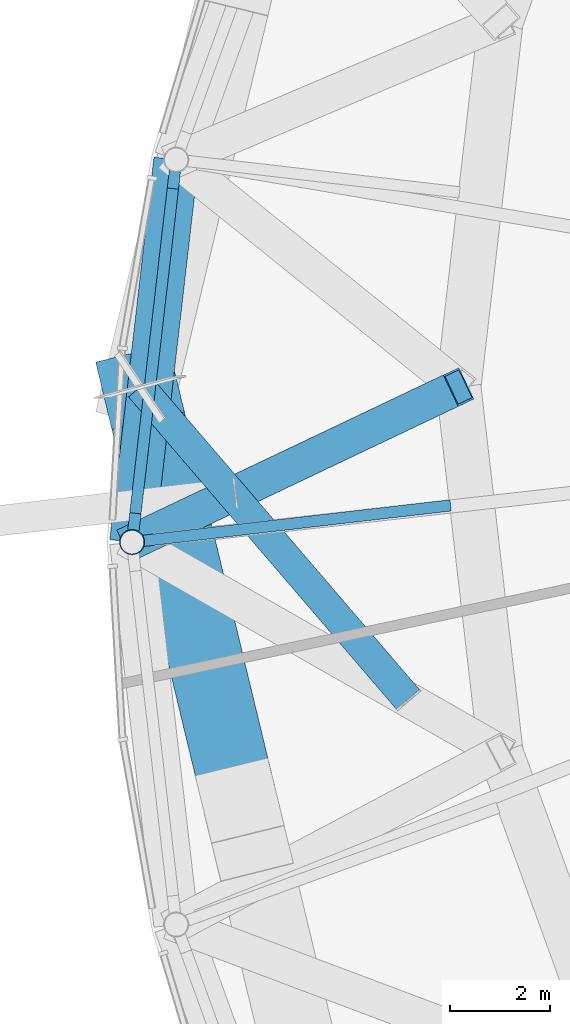
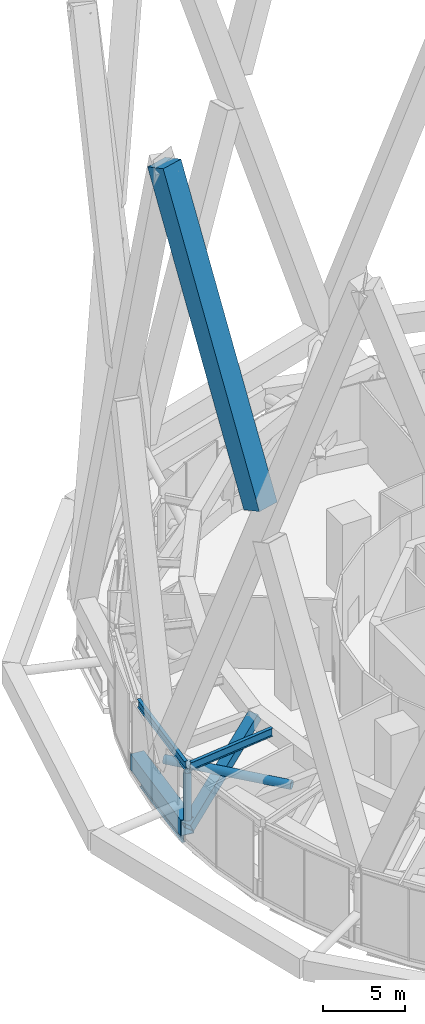
# One storey, part 24 of 49: 5 beams, 3 members.
"""IFC4 building model written with IfcOpenShell, lengths in metres."""

from ifc_helpers import new_model, si_unit, direction, frame, origin, origin_2d, place, context, subcontext, project, spatial, rectangle, hollow_rectangle, hollow_circle, i_section, extrude, material, material_profile, profile_set, type_object, element, save


model = new_model("IFC4")

# Units and contexts
model_context = context("Model", 3, precision=1e-05, world=origin(), true_north=direction((0.0, 1.0)))
body_context = subcontext(model_context, "Body", "Model", "MODEL_VIEW")
ifc_project = project(units=[si_unit("LENGTHUNIT", "METRE"), si_unit("AREAUNIT", "SQUARE_METRE"), si_unit("VOLUMEUNIT", "CUBIC_METRE"), si_unit("PLANEANGLEUNIT", "RADIAN"), si_unit("MASSUNIT", "GRAM", prefix="KILO")], contexts=[model_context])

# Site, building, storey
site_placement = place(None, origin())
site = spatial("IfcSite", under=ifc_project, at=site_placement, CompositionType="ELEMENT")
building_placement = place(site_placement, origin())
building = spatial("IfcBuilding", under=site, at=building_placement, Name="Nagisa Residences", CompositionType="ELEMENT")
storey_placement = place(building_placement, frame((0.0, 0.0, 160.300048828125)))
storey = spatial("IfcBuildingStorey", under=building, at=storey_placement, Name="L40", CompositionType="ELEMENT", Elevation=160.300048828125)

# Beams
ifc_material_1 = material(Name="Steel ASTM A572 Gr 50", Category="steel")
ifc_material_profile_1 = material_profile(ifc_material_1, hollow_rectangle(XDim=0.89990234375, YDim=1.199951171875, WallThickness=0.044921875, at=origin_2d()), Name="BX 900x1200x45")
ifc_profile_set_1 = profile_set([ifc_material_profile_1], Name="Steel ASTM A572 Gr 50")
beam_type_1 = type_object("IfcBeamType", Name="Belt chord 3 BX 900x1200x45", PredefinedType="BEAM", material=ifc_profile_set_1)
beam_1_placement = place(storey_placement, frame((-26.947998046875, 4.56787109375, 0.599853515625), z_axis=(-0.114645667897, -0.993406447952, 0.0), x_axis=(0.993406447952, -0.114645667897, 0.0)))
element("IfcBeam", 1, at=beam_1_placement, inside=storey, type_object=beam_type_1, Name="beam:L40:bt3b12", PredefinedType="BEAM", context=body_context, shape_type="SweptSolid", body=[
    extrude(hollow_rectangle(XDim=0.89990234375, YDim=1.199951171875, WallThickness=0.044921875, at=origin_2d()), origin(), (0.0, 0.0, 1.0), 7.736572265625),
])
ifc_material_2 = material(Name="Steel ASTM A572 Gr 50", Category="steel")
ifc_material_profile_2 = material_profile(ifc_material_2, hollow_rectangle(XDim=0.699951171875, YDim=0.699951171875, WallThickness=0.0400390625, at=origin_2d()), Name="BX 700x700x40")
ifc_profile_set_2 = profile_set([ifc_material_profile_2], Name="Steel ASTM A572 Gr 50")
beam_type_2 = type_object("IfcBeamType", Name="Belt diagonal 3 BX 700x700x40", PredefinedType="BEAM", material=ifc_profile_set_2)
beam_2_placement = place(storey_placement, frame((-27.8349609375, -3.11767578125, 0.599853515625), z_axis=(0.784665673847, 0.37291331057, 0.495212523152), x_axis=(-0.429241927288, 0.903189552563, 0.0)))
element("IfcBeam", 2, at=beam_2_placement, inside=storey, type_object=beam_type_2, Name="beam:L40:bt3da13", PredefinedType="BEAM", context=body_context, shape_type="SweptSolid", body=[
    extrude(hollow_rectangle(XDim=0.699951171875, YDim=0.699951171875, WallThickness=0.0400390625, at=origin_2d()), origin(), (0.0, 0.0, 1.0), 8.3603515625),
])

# Members
ifc_material_3 = material(Name="Concrete C80", Category="concrete")
ifc_material_profile_3 = material_profile(ifc_material_3, rectangle(XDim=1.5, YDim=1.5, at=origin_2d()), Name="C80 1500x1500")
ifc_profile_set_3 = profile_set([ifc_material_profile_3], Name="Concrete C80")
member_type_1 = type_object("IfcMemberType", Name="Cage diagonal 4 C80 1500x1500", PredefinedType="BRACE", material=ifc_profile_set_3)
member_1_placement = place(storey_placement, frame((-25.6728515625, -8.30810546875, 26.93701171875), z_axis=(-0.087370904377, 0.362545040356, 0.92786174551), x_axis=(-0.972167751465, -0.234285857472, 0.0)))
element("IfcMember", 3, at=member_1_placement, inside=storey, type_object=member_type_1, Name="mem:L40:cg4d014b", PredefinedType="BRACE", context=body_context, shape_type="SweptSolid", body=[
    extrude(rectangle(XDim=1.5, YDim=1.5, at=origin_2d()), origin(), (0.0, 0.0, 1.0), 22.916015625),
])
ifc_material_4 = material(Name="Steel ASTM A572 Gr 65", Category="steel")
ifc_material_profile_4 = material_profile(ifc_material_4, hollow_circle(Radius=0.304931640625, WallThickness=0.02490234375, at=origin_2d()), Name="CHS 610x25")
ifc_profile_set_4 = profile_set([ifc_material_profile_4], Name="Steel ASTM A572 Gr 65")
member_type_2 = type_object("IfcMemberType", Name="Cage strut CHS 610x25", PredefinedType="STRUT", material=ifc_profile_set_4)
member_2_placement = place(storey_placement, frame((-27.675048828125, 0.0, 3.699951171875), z_axis=(0.650927418305, -0.759139971348, 0.0), x_axis=(0.759139971348, 0.650927418305, 0.0)))
element("IfcMember", 4, at=member_2_placement, inside=storey, type_object=member_type_2, Name="mem:L40:bt3st4b07", PredefinedType="STRUT", context=body_context, shape_type="SweptSolid", body=[
    extrude(hollow_circle(Radius=0.304931640625, WallThickness=0.02490234375, at=origin_2d()), origin(), (0.0, 0.0, 1.0), 8.275390625),
])

# Beam
ifc_material_5 = material(Name="Steel ASTM A572 Gr 50", Category="steel")
ifc_material_profile_5 = material_profile(ifc_material_5, i_section(OverallWidth=0.22802734375, OverallDepth=0.60302734375, WebThickness=0.010498046875, FlangeThickness=0.014892578125, at=origin_2d()), Name="W610x101")
ifc_profile_set_5 = profile_set([ifc_material_profile_5], Name="Steel ASTM A572 Gr 50")
beam_type_3 = type_object("IfcBeamType", Name="Garden edge beam W610x101", PredefinedType="BEAM", material=ifc_profile_set_5)
beam_3_placement = place(storey_placement, frame((-26.974609375, 4.33544921875, 5.038330078125), z_axis=(-0.114670003519, -0.993403639158, 0.0), x_axis=(0.993403639158, -0.114670003519, 0.0)))
element("IfcBeam", 5, at=beam_3_placement, inside=storey, type_object=beam_type_3, Name="beam:L40:bt3ge12", PredefinedType="BEAM", context=body_context, shape_type="SweptSolid", body=[
    extrude(i_section(OverallWidth=0.22802734375, OverallDepth=0.60302734375, WebThickness=0.010498046875, FlangeThickness=0.014892578125, at=origin_2d()), origin(), (0.0, 0.0, 1.0), 7.2685546875),
])

# Member
ifc_material_6 = material(Name="Steel ASTM A572 Gr 65", Category="steel")
ifc_material_profile_6 = material_profile(ifc_material_6, hollow_circle(Radius=0.25390625, WallThickness=0.02001953125, at=origin_2d()), Name="CHS 508x20")
ifc_profile_set_6 = profile_set([ifc_material_profile_6], Name="Steel ASTM A572 Gr 65")
member_type_3 = type_object("IfcMemberType", Name="Garden edge post CHS 508x20", PredefinedType="POST", material=ifc_profile_set_6)
member_3_placement = place(storey_placement, frame((-27.8349609375, -3.11767578125, 1.199951171875), z_axis=(0.0, 0.0, 1.0), x_axis=(1.0, 0.0, 0.0)))
element("IfcMember", 6, at=member_3_placement, inside=storey, type_object=member_type_3, Name="mem:L40:gp313", PredefinedType="POST", context=body_context, shape_type="SweptSolid", body=[
    extrude(hollow_circle(Radius=0.25390625, WallThickness=0.02001953125, at=origin_2d()), origin(), (0.0, 0.0, 1.0), 3.537109375),
])

# Beams
ifc_material_7 = material(Name="Steel ASTM A572 Gr 50", Category="steel")
ifc_material_profile_7 = material_profile(ifc_material_7, i_section(OverallWidth=0.22802734375, OverallDepth=0.60302734375, WebThickness=0.010498046875, FlangeThickness=0.014892578125, at=origin_2d()), Name="W610x101")
ifc_profile_set_7 = profile_set([ifc_material_profile_7], Name="Steel ASTM A572 Gr 50")
beam_type_4 = type_object("IfcBeamType", Name="Garden radial beam W610x101", PredefinedType="BEAM", material=ifc_profile_set_7)
beam_4_placement = place(storey_placement, frame((-27.6025390625, -3.0908203125, 5.038330078125), z_axis=(0.993407386206, 0.114637537622, 0.0), x_axis=(-0.114637537622, 0.993407386206, 0.0)))
element("IfcBeam", 7, at=beam_4_placement, inside=storey, type_object=beam_type_4, Name="beam:L40:bt3gr13", PredefinedType="BEAM", context=body_context, shape_type="SweptSolid", body=[
    extrude(i_section(OverallWidth=0.22802734375, OverallDepth=0.60302734375, WebThickness=0.010498046875, FlangeThickness=0.014892578125, at=origin_2d()), origin(), (0.0, 0.0, 1.0), 6.210205078125),
])
ifc_material_8 = material(Name="Steel ASTM A572 Gr 50", Category="steel")
ifc_material_profile_8 = material_profile(ifc_material_8, i_section(OverallWidth=0.22802734375, OverallDepth=0.60302734375, WebThickness=0.010498046875, FlangeThickness=0.014892578125, at=origin_2d()), Name="W610x101")
ifc_profile_set_8 = profile_set([ifc_material_profile_8], Name="Steel ASTM A572 Gr 50")
beam_type_5 = type_object("IfcBeamType", Name="Perimeter ring beam W610x101", PredefinedType="BEAM", material=ifc_profile_set_8)
beam_5_placement = place(storey_placement, frame((-27.014892578125, 3.98779296875, -0.651611328125), z_axis=(-0.114660786771, -0.993404703017, 0.0), x_axis=(0.993404703017, -0.114660786771, 0.0)))
element("IfcBeam", 8, at=beam_5_placement, inside=storey, type_object=beam_type_5, Name="beam:L40:pb12", PredefinedType="BEAM", context=body_context, shape_type="SweptSolid", body=[
    extrude(i_section(OverallWidth=0.22802734375, OverallDepth=0.60302734375, WebThickness=0.010498046875, FlangeThickness=0.014892578125, at=origin_2d()), origin(), (0.0, 0.0, 1.0), 6.568603515625),
])

save(model, "model.ifc")
